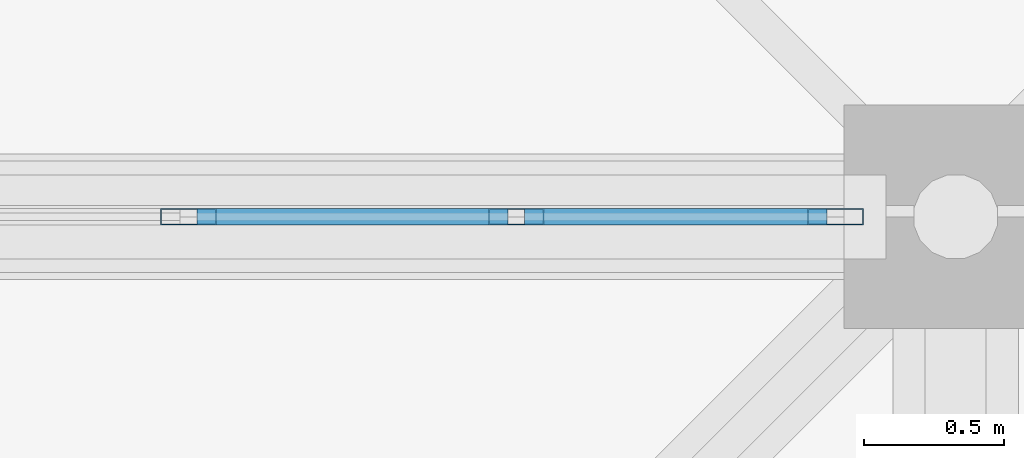
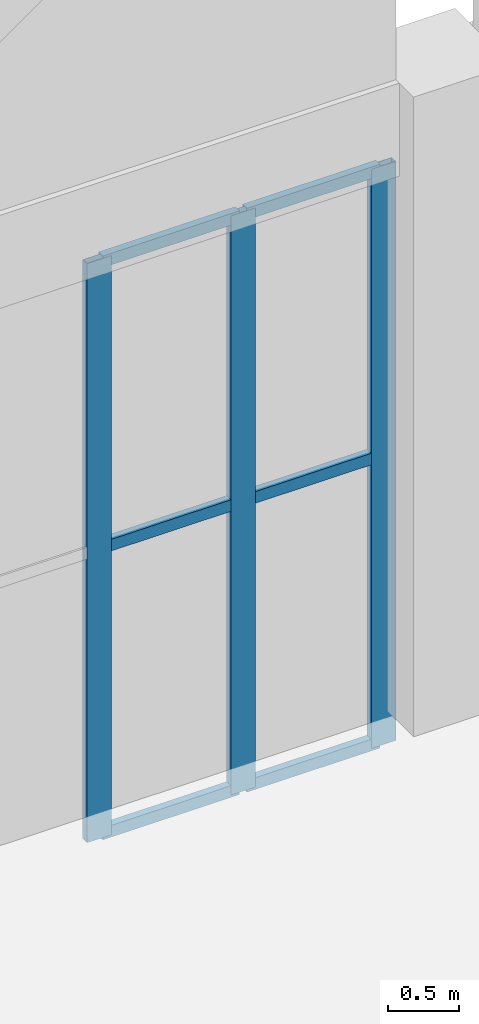
# One storey, part 125 of 437: 9 members, 1 element without a shape of its own.
"""IFC4 building model written with IfcOpenShell, lengths in metres."""

import ifcopenshell
import ifcopenshell.guid

model = None  # the IFC model being written
_history = None  # IfcOwnerHistory: only IFC2X3 demands one
_inside = {}  # id of a spatial element -> (the spatial element, [elements in it])
_under = {}  # id of a project, library or spatial element -> (it, [spatial elements below it])
_declared = {}  # id of a project -> (the project, [libraries it declares])
_typed = {}  # id of a type object -> (the type object, [elements of that type])
_made_of = {}  # id of a material, layer set ... -> (it, [elements and type objects made of it])


def new_model(schema):
    """Start an empty IFC model of exactly this schema.

    Asked for "IFC4X3", IfcOpenShell would pick the latest addendum, in which some entities
    have other attributes; the version numbers below select the first issue.
    IFC2X3 requires an IfcOwnerHistory on every rooted entity: one is made here for all.
    """
    global model, _history
    if schema == "IFC4X3":
        model = ifcopenshell.file(schema_version=(4, 3, 0, 0))
    else:
        model = ifcopenshell.file(schema=schema)
    _inside.clear()
    _under.clear()
    _declared.clear()
    _typed.clear()
    _made_of.clear()
    _history = None
    if model.schema == "IFC2X3":
        org = make("IfcOrganization", Name="unknown")
        user = make(
            "IfcPersonAndOrganization",
            ThePerson=make("IfcPerson", FamilyName="unknown"),
            TheOrganization=org,
        )
        app = make(
            "IfcApplication",
            ApplicationDeveloper=org,
            Version="unknown",
            ApplicationFullName="unknown",
            ApplicationIdentifier="unknown",
        )
        _history = make(
            "IfcOwnerHistory",
            OwningUser=user,
            OwningApplication=app,
            ChangeAction="ADDED",
            CreationDate=0,
        )
    return model


def make(cls, **values):
    """One entity of the class cls with the attributes given. An attribute that is None is left unset."""
    return model.create_entity(
        cls, **{name: value for name, value in values.items() if value is not None}
    )


def rooted(cls, **values):
    """An entity with a GlobalId (a new one), such as an element, a storey or a relation."""
    return make(cls, GlobalId=ifcopenshell.guid.new(), OwnerHistory=_history, **values)


def si_unit(unit_type, name, prefix=None):
    """IfcSIUnit, for example si_unit("LENGTHUNIT", "METRE", prefix="MILLI")."""
    return make("IfcSIUnit", UnitType=unit_type, Prefix=prefix, Name=name)


def assignment(units):
    """IfcUnitAssignment: the units of a project."""
    return None if units is None else make("IfcUnitAssignment", Units=units)


def point(xyz):
    """IfcCartesianPoint."""
    return None if xyz is None else make("IfcCartesianPoint", Coordinates=xyz)


def direction(xyz):
    """IfcDirection."""
    return None if xyz is None else make("IfcDirection", DirectionRatios=xyz)


def frame(location, z_axis=None, x_axis=None):
    """IfcAxis2Placement3D, a coordinate frame: its origin and axes. An axis left out is left unset."""
    return make(
        "IfcAxis2Placement3D",
        Location=point(location),
        Axis=direction(z_axis),
        RefDirection=direction(x_axis),
    )


def frame_2d(location, x_axis=None):
    """IfcAxis2Placement2D, a coordinate frame in the plane: its origin and x axis."""
    return make(
        "IfcAxis2Placement2D", Location=point(location), RefDirection=direction(x_axis)
    )


def origin():
    """The frame at (0, 0, 0) with its axes left unset."""
    return frame((0.0, 0.0, 0.0))


def origin_2d():
    """The frame at (0, 0) in the plane with its x axis left unset."""
    return frame_2d((0.0, 0.0))


def place(relative_to, where):
    """IfcLocalPlacement: puts the frame where relative to a parent placement (None: the world)."""
    return make(
        "IfcLocalPlacement", PlacementRelTo=relative_to, RelativePlacement=where
    )


def context(
    kind, dimensions, precision=None, world=None, true_north=None, identifier=None
):
    """IfcGeometricRepresentationContext, for example the 3D "Model" context."""
    return make(
        "IfcGeometricRepresentationContext",
        ContextIdentifier=identifier,
        ContextType=kind,
        CoordinateSpaceDimension=dimensions,
        Precision=precision,
        WorldCoordinateSystem=world,
        TrueNorth=true_north,
    )


def subcontext(parent, identifier, kind, view, scale=None):
    """IfcGeometricRepresentationSubContext, for example "Body" below "Model"."""
    return make(
        "IfcGeometricRepresentationSubContext",
        ContextIdentifier=identifier,
        ContextType=kind,
        ParentContext=parent,
        TargetScale=scale,
        TargetView=view,
    )


def project(units=None, contexts=None):
    """IfcProject with its units and contexts."""
    return rooted(
        "IfcProject",
        Name="project",
        RepresentationContexts=contexts,
        UnitsInContext=assignment(units),
    )


def spatial(cls, under=None, at=None, **own):
    """A site, building, storey or space (cls), placed at a placement, below another one or the project."""
    s = rooted(cls, ObjectPlacement=at, **own)
    if under is not None:
        _under.setdefault(under.id(), (under, []))[1].append(s)
    return s


def profile(cls, at=None, kind="AREA", **sizes):
    """A parametric profile (cls). Its sizes go by their IFC names, for example OverallWidth=200.0."""
    return make(cls, ProfileType=kind, Position=at, **sizes)


def hollow_rectangle(**sizes):
    """IfcRectangleHollowProfileDef."""
    return profile("IfcRectangleHollowProfileDef", **sizes)


def extrude(swept, where, along, depth):
    """IfcExtrudedAreaSolid: the profile swept, set in the frame where, extruded along a direction by depth."""
    return make(
        "IfcExtrudedAreaSolid",
        SweptArea=swept,
        Position=where,
        ExtrudedDirection=direction(along),
        Depth=depth,
    )


def shape(context_of_items, identifier, shape_type, items):
    """IfcShapeRepresentation: the items that make up one representation, for example the "Body"."""
    return make(
        "IfcShapeRepresentation",
        ContextOfItems=context_of_items,
        RepresentationIdentifier=identifier,
        RepresentationType=shape_type,
        Items=items,
    )


def material(Name=None, Category=None):
    """IfcMaterial."""
    return make("IfcMaterial", Name=Name, Category=Category)


def layer(
    of_material, thickness, ventilated=None, Name=None, Category=None, Priority=None
):
    """IfcMaterialLayer: one layer of a wall or slab, of a material (None: an air gap)."""
    return make(
        "IfcMaterialLayer",
        Material=of_material,
        LayerThickness=thickness,
        IsVentilated=ventilated,
        Name=Name,
        Category=Category,
        Priority=Priority,
    )


def layer_set(layers, Name=None):
    """IfcMaterialLayerSet."""
    return make("IfcMaterialLayerSet", MaterialLayers=layers, LayerSetName=Name)


def material_profile(
    of_material, cross_section, Name=None, Category=None, Priority=None
):
    """IfcMaterialProfile: a cross section and its material."""
    return make(
        "IfcMaterialProfile",
        Name=Name,
        Material=of_material,
        Profile=cross_section,
        Priority=Priority,
        Category=Category,
    )


def profile_set(profiles, Name=None, composite=None):
    """IfcMaterialProfileSet."""
    return make(
        "IfcMaterialProfileSet",
        Name=Name,
        MaterialProfiles=profiles,
        CompositeProfile=composite,
    )


def made_of(thing, what):
    """Note that an element or type object is made of a material, layer set ...; save() writes the relation."""
    if what is not None:
        _made_of.setdefault(what.id(), (what, []))[1].append(thing)
    return thing


def type_object(cls, material=None, **own):
    """A type object (cls), such as IfcWallType, which elements share."""
    return made_of(rooted(cls, **own), material)


def element(
    cls,
    number,
    at=None,
    inside=None,
    cuts=None,
    type_object=None,
    material=None,
    context=None,
    identifier="Body",
    shape_type=None,
    held_by="IfcProductDefinitionShape",
    body=None,
    shapes=None,
    **own,
):
    """One element of the class cls, such as IfcWall. Its Tag is "e" and its number.

    at: its placement. inside: the storey or other place that contains it. cuts: it is an
    opening in that element (IfcRelVoidsElement). A single representation is given by context,
    identifier, shape_type and body (its items); several are given by shapes. held_by: the class
    of the entity that holds the representations. save() writes the other relations.
    """
    e = rooted(cls, Tag="e%d" % number, ObjectPlacement=at, **own)
    if body is not None:
        shapes = [shape(context, identifier, shape_type, body)]
    if shapes is not None:
        e.Representation = make(held_by, Representations=shapes)
    if inside is not None:
        _inside.setdefault(inside.id(), (inside, []))[1].append(e)
    if cuts is not None:
        rooted(
            "IfcRelVoidsElement", RelatingBuildingElement=cuts, RelatedOpeningElement=e
        )
    if type_object is not None:
        _typed.setdefault(type_object.id(), (type_object, []))[1].append(e)
    return made_of(e, material)


def aggregate(whole, parts):
    """IfcRelAggregates: a whole, such as a stair, and the parts it consists of."""
    return rooted("IfcRelAggregates", RelatingObject=whole, RelatedObjects=parts)


def save(model, path):
    """Write the relations noted so far, then the file.

    IfcRelAggregates (storeys below a building ...), IfcRelContainedInSpatialStructure (elements
    in a storey), IfcRelDefinesByType, IfcRelAssociatesMaterial and IfcRelDeclares: one each for
    every whole, place, type object, material and project.
    """
    for whole, parts in _under.values():
        aggregate(whole, parts)
    for where, things in _inside.values():
        rooted(
            "IfcRelContainedInSpatialStructure",
            RelatedElements=things,
            RelatingStructure=where,
        )
    for kind, things in _typed.values():
        rooted("IfcRelDefinesByType", RelatedObjects=things, RelatingType=kind)
    for what, things in _made_of.values():
        rooted("IfcRelAssociatesMaterial", RelatedObjects=things, RelatingMaterial=what)
    for by, libraries in _declared.values():
        rooted("IfcRelDeclares", RelatingContext=by, RelatedDefinitions=libraries)
    model.write(path)


model = new_model("IFC4")

# Units and contexts
model_context = context("Model", 3, precision=1e-05, world=origin(), true_north=direction((0.0, 1.0)))
body_context = subcontext(model_context, "Body", "Model", "MODEL_VIEW")
ifc_project = project(units=[si_unit("LENGTHUNIT", "METRE"), si_unit("AREAUNIT", "SQUARE_METRE"), si_unit("VOLUMEUNIT", "CUBIC_METRE"), si_unit("PLANEANGLEUNIT", "RADIAN"), si_unit("MASSUNIT", "GRAM", prefix="KILO")], contexts=[model_context])

# Site, building, storey
site_placement = place(None, origin())
site = spatial("IfcSite", under=ifc_project, at=site_placement, CompositionType="ELEMENT")
building_placement = place(site_placement, origin())
building = spatial("IfcBuilding", under=site, at=building_placement, Name="Opaline Strait Convention Centre", CompositionType="ELEMENT")
storey_placement = place(building_placement, frame((0.0, 0.0, 11.5)))
storey = spatial("IfcBuildingStorey", under=building, at=storey_placement, Name="L02", CompositionType="ELEMENT", Elevation=11.5)

# Curtain wall, members
ifc_material_1 = material(Name="Aluminium framed double glazing", Category="aluminium")
ifc_layer = layer(ifc_material_1, 0.199951171875)
ifc_layer_set = layer_set([ifc_layer], Name="Aluminium framed double glazing")
curtain_wall_type = type_object("IfcCurtainWallType", Name="Curtain wall 1250", PredefinedType="NOTDEFINED", material=ifc_layer_set)
curtain_wall_placement = place(storey_placement, origin())
curtain_wall = element("IfcCurtainWall", 1, at=curtain_wall_placement, inside=storey, type_object=curtain_wall_type, Name="Curtain wall N-36-L02", PredefinedType="NOTDEFINED")
ifc_material_2 = material(Name="Aluminium alloy 6063", Category="aluminium")
ifc_material_profile_1 = material_profile(ifc_material_2, hollow_rectangle(XDim=0.06005859375, YDim=0.199951171875, WallThickness=0.00390625, at=origin_2d()), Name="MULLION 60x200x4")
ifc_profile_set_1 = profile_set([ifc_material_profile_1], Name="Aluminium alloy 6063")
member_type_1 = type_object("IfcMemberType", Name="Curtain wall mullion 60 x 200", PredefinedType="MULLION", material=ifc_profile_set_1)
member_1_placement = place(storey_placement, frame((42.257080078125, 180.0, -0.280029296875), z_axis=(0.0, 0.0, 1.0), x_axis=(0.0, 1.0, 0.0)))
member_1 = element("IfcMember", 2, at=member_1_placement, type_object=member_type_1, Name="PCW mullion 6", PredefinedType="MULLION", context=body_context, shape_type="SweptSolid", body=[
    extrude(hollow_rectangle(XDim=0.06005859375, YDim=0.199951171875, WallThickness=0.00390625, at=origin_2d()), origin(), (0.0, 0.0, 1.0), 4.97998046875),
])
member_2_placement = place(storey_placement, frame((43.4287109375, 180.0, -0.280029296875), z_axis=(0.0, 0.0, 1.0), x_axis=(0.0, 1.0, 0.0)))
member_2 = element("IfcMember", 3, at=member_2_placement, type_object=member_type_1, Name="PCW mullion 7", PredefinedType="MULLION", context=body_context, shape_type="SweptSolid", body=[
    extrude(hollow_rectangle(XDim=0.06005859375, YDim=0.199951171875, WallThickness=0.00390625, at=origin_2d()), origin(), (0.0, 0.0, 1.0), 4.97998046875),
])
member_3_placement = place(storey_placement, frame((44.570068359375, 180.0, -0.280029296875), z_axis=(0.0, 0.0, 1.0), x_axis=(0.0, 1.0, 0.0)))
member_3 = element("IfcMember", 4, at=member_3_placement, type_object=member_type_1, Name="PCW mullion 8", PredefinedType="MULLION", context=body_context, shape_type="SweptSolid", body=[
    extrude(hollow_rectangle(XDim=0.06005859375, YDim=0.199951171875, WallThickness=0.00390625, at=origin_2d()), origin(), (0.0, 0.0, 1.0), 4.97998046875),
])
ifc_material_profile_2 = material_profile(ifc_material_2, hollow_rectangle(XDim=0.06005859375, YDim=0.10009765625, WallThickness=0.0029296875, at=origin_2d()), Name="TRANSOM 60x100x3")
ifc_profile_set_2 = profile_set([ifc_material_profile_2], Name="Aluminium alloy 6063")
member_type_2 = type_object("IfcMemberType", Name="Curtain wall transom 60 x 100", PredefinedType="USERDEFINED", material=ifc_profile_set_2)
member_4_placement = place(storey_placement, frame((42.287109375, 180.0, -0.25), z_axis=(1.0, 0.0, 0.0), x_axis=(0.0, 1.0, 0.0)))
member_4 = element("IfcMember", 5, at=member_4_placement, type_object=member_type_2, Name="PCW transom 6.1", ObjectType="TRANSOM", PredefinedType="USERDEFINED", context=body_context, shape_type="SweptSolid", body=[
    extrude(hollow_rectangle(XDim=0.06005859375, YDim=0.10009765625, WallThickness=0.0029296875, at=origin_2d()), origin(), (0.0, 0.0, 1.0), 1.111572265625),
])
member_5_placement = place(storey_placement, frame((42.287109375, 180.0, 2.2099609375), z_axis=(1.0, 0.0, 0.0), x_axis=(0.0, 1.0, 0.0)))
member_5 = element("IfcMember", 6, at=member_5_placement, type_object=member_type_2, Name="PCW transom 6.2", ObjectType="TRANSOM", PredefinedType="USERDEFINED", context=body_context, shape_type="SweptSolid", body=[
    extrude(hollow_rectangle(XDim=0.06005859375, YDim=0.10009765625, WallThickness=0.0029296875, at=origin_2d()), origin(), (0.0, 0.0, 1.0), 1.111572265625),
])
member_6_placement = place(storey_placement, frame((42.287109375, 180.0, 4.669921875), z_axis=(1.0, 0.0, 0.0), x_axis=(0.0, 1.0, 0.0)))
member_6 = element("IfcMember", 7, at=member_6_placement, type_object=member_type_2, Name="PCW transom 6.3", ObjectType="TRANSOM", PredefinedType="USERDEFINED", context=body_context, shape_type="SweptSolid", body=[
    extrude(hollow_rectangle(XDim=0.06005859375, YDim=0.10009765625, WallThickness=0.0029296875, at=origin_2d()), origin(), (0.0, 0.0, 1.0), 1.111572265625),
])
member_7_placement = place(storey_placement, frame((43.458740234375, 180.0, -0.25), z_axis=(1.0, 0.0, 0.0), x_axis=(0.0, 1.0, 0.0)))
member_7 = element("IfcMember", 8, at=member_7_placement, type_object=member_type_2, Name="PCW transom 7.1", ObjectType="TRANSOM", PredefinedType="USERDEFINED", context=body_context, shape_type="SweptSolid", body=[
    extrude(hollow_rectangle(XDim=0.06005859375, YDim=0.10009765625, WallThickness=0.0029296875, at=origin_2d()), origin(), (0.0, 0.0, 1.0), 1.081298828125),
])
member_8_placement = place(storey_placement, frame((43.458740234375, 180.0, 2.2099609375), z_axis=(1.0, 0.0, 0.0), x_axis=(0.0, 1.0, 0.0)))
member_8 = element("IfcMember", 9, at=member_8_placement, type_object=member_type_2, Name="PCW transom 7.2", ObjectType="TRANSOM", PredefinedType="USERDEFINED", context=body_context, shape_type="SweptSolid", body=[
    extrude(hollow_rectangle(XDim=0.06005859375, YDim=0.10009765625, WallThickness=0.0029296875, at=origin_2d()), origin(), (0.0, 0.0, 1.0), 1.081298828125),
])
member_9_placement = place(storey_placement, frame((43.458740234375, 180.0, 4.669921875), z_axis=(1.0, 0.0, 0.0), x_axis=(0.0, 1.0, 0.0)))
member_9 = element("IfcMember", 10, at=member_9_placement, type_object=member_type_2, Name="PCW transom 7.3", ObjectType="TRANSOM", PredefinedType="USERDEFINED", context=body_context, shape_type="SweptSolid", body=[
    extrude(hollow_rectangle(XDim=0.06005859375, YDim=0.10009765625, WallThickness=0.0029296875, at=origin_2d()), origin(), (0.0, 0.0, 1.0), 1.081298828125),
])
aggregate(curtain_wall, [member_1, member_2, member_3, member_4, member_5, member_6, member_7, member_8, member_9])

save(model, "model.ifc")
